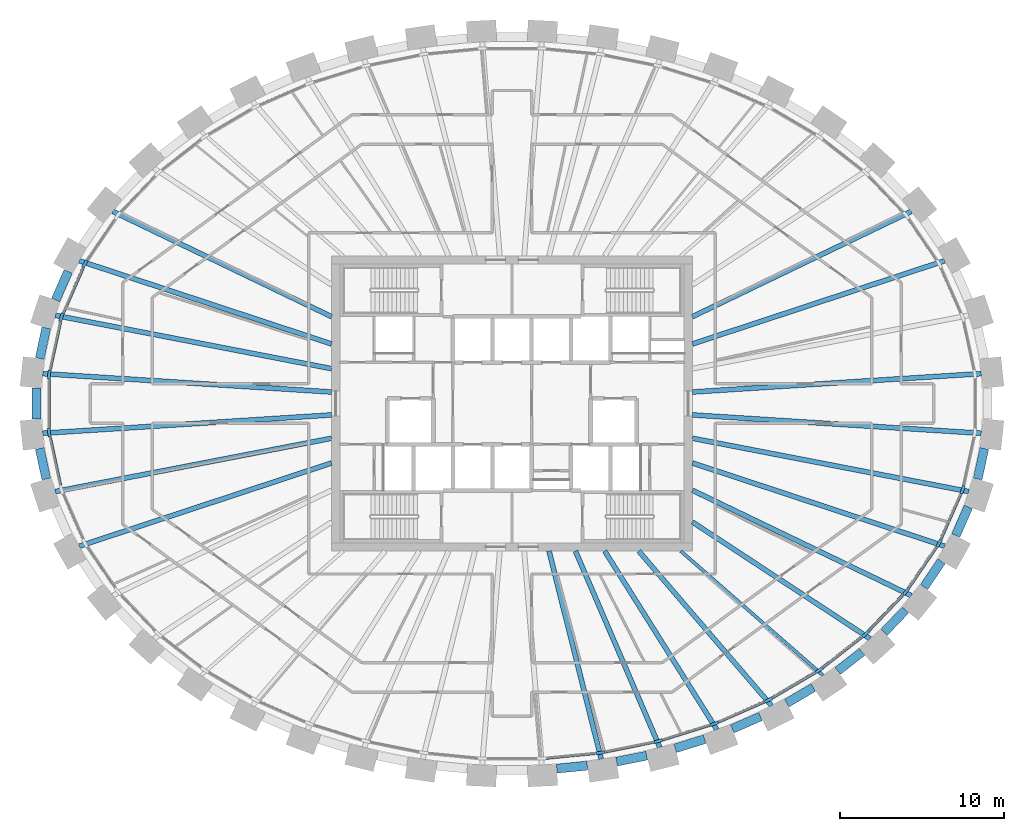
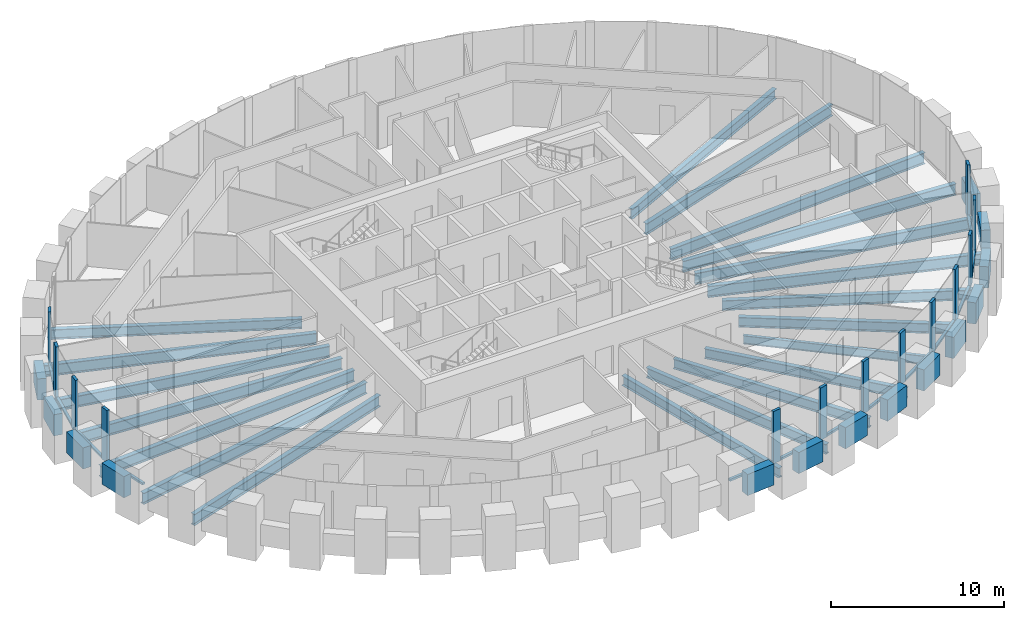
# One storey, part 2 of 11: 34 beams, 26 members, 1 element without a shape of its own.
"""IFC4 building model written with IfcOpenShell, lengths in metres."""

from ifc_helpers import new_model, si_unit, direction, frame, origin, origin_2d, place, context, subcontext, project, spatial, rectangle, i_section, extrude, source, transform, mapped, material, material_profile, profile_set, type_object, element, aggregate, save


model = new_model("IFC4")

# Units and contexts
model_context = context("Model", 3, precision=1e-05, world=origin(), true_north=direction((0.0, 1.0)))
body_context = subcontext(model_context, "Body", "Model", "MODEL_VIEW")
ifc_project = project(units=[si_unit("LENGTHUNIT", "METRE"), si_unit("AREAUNIT", "SQUARE_METRE"), si_unit("VOLUMEUNIT", "CUBIC_METRE"), si_unit("PLANEANGLEUNIT", "RADIAN"), si_unit("MASSUNIT", "GRAM", prefix="KILO")], contexts=[model_context])

# Site, building, storey
site_placement = place(None, origin())
site = spatial("IfcSite", under=ifc_project, at=site_placement, CompositionType="ELEMENT")
building_placement = place(site_placement, origin())
building = spatial("IfcBuilding", under=site, at=building_placement, Name="Embergate Tower", CompositionType="ELEMENT")
storey_placement = place(building_placement, frame((0.0, 0.0, 324.699951171875)))
storey = spatial("IfcBuildingStorey", under=building, at=storey_placement, Name="L76", CompositionType="ELEMENT", Elevation=324.699951171875)

# Beams
ifc_material_1 = material(Name="Concrete C50", Category="concrete")
ifc_material_profile_1 = material_profile(ifc_material_1, rectangle(XDim=0.550048828125, YDim=1.5, at=origin_2d()), Name="RC 550x1500")
ifc_profile_set_1 = profile_set([ifc_material_profile_1], Name="Concrete C50")
beam_type_1 = type_object("IfcBeamType", Name="Spandrel beam RC 550x1500 C50", PredefinedType="BEAM", material=ifc_profile_set_1)
shared_shape_1 = source(origin(), body_context, "Body", "SweptSolid", [
    extrude(rectangle(XDim=0.550048828125, YDim=1.5, at=origin_2d()), origin(), (0.0, 0.0, 1.0), 1.904541015625),
])
for number, where, z_axis, x_axis, name in (
    (1, (-28.40087890625, 4.60498046875, 0.0), (-0.210098077345, -0.977680314774, 0.0), (0.977680314774, -0.210098077345, 0.0), "SPN-L76-20"),
    (2, (-28.801025390625, -2.742919921875, 0.0), (0.210098077345, -0.977680314774, 0.0), (0.977680314774, 0.210098077345, 0.0), "SPN-L76-22"),
    (3, (28.40087890625, -4.60498046875, 0.0), (0.210098077345, 0.977680314774, 0.0), (-0.977680314774, 0.210098077345, 0.0), "SPN-L76-42"),
):
    element("IfcBeam", number, at=place(storey_placement, frame(where, z_axis=z_axis, x_axis=x_axis)), inside=storey, type_object=beam_type_1, Name=name, PredefinedType="BEAM", context=body_context, shape_type="MappedRepresentation", body=[
        mapped(shared_shape_1, transform((0.0, 0.0, 0.0))),
    ])
shared_shape_2 = source(origin(), body_context, "Body", "SweptSolid", [
    extrude(rectangle(XDim=0.550048828125, YDim=1.5, at=origin_2d()), origin(), (0.0, 0.0, 1.0), 1.897705078125),
])
for number, where, z_axis, x_axis, name in (
    (4, (-27.06591796875, 8.049072265625, 0.0), (-0.401513845594, -0.915852953151, 0.0), (0.915852953151, -0.401513845594, 0.0), "SPN-L76-19"),
    (5, (27.06591796875, -8.049072265625, 0.0), (0.401513845594, 0.915852953151, 0.0), (-0.915852953151, 0.401513845594, 0.0), "SPN-L76-41"),
):
    element("IfcBeam", number, at=place(storey_placement, frame(where, z_axis=z_axis, x_axis=x_axis)), inside=storey, type_object=beam_type_1, Name=name, PredefinedType="BEAM", context=body_context, shape_type="MappedRepresentation", body=[
        mapped(shared_shape_2, transform((0.0, 0.0, 0.0))),
    ])
shared_shape_3 = source(origin(), body_context, "Body", "SweptSolid", [
    extrude(rectangle(XDim=0.550048828125, YDim=1.5, at=origin_2d()), origin(), (0.0, 0.0, 1.0), 1.893798828125),
])
beam_1_placement = place(storey_placement, frame((25.12890625, -11.18994140625, 0.0), z_axis=(0.562440477268, 0.826837777034, 0.0), x_axis=(-0.826837777034, 0.562440477268, 0.0)))
element("IfcBeam", 6, at=beam_1_placement, inside=storey, type_object=beam_type_1, Name="SPN-L76-40", PredefinedType="BEAM", context=body_context, shape_type="MappedRepresentation", body=[
    mapped(shared_shape_3, transform((0.0, 0.0, 0.0))),
])
shared_shape_4 = source(origin(), body_context, "Body", "SweptSolid", [
    extrude(rectangle(XDim=0.550048828125, YDim=1.5, at=origin_2d()), origin(), (0.0, 0.0, 1.0), 1.8876953125),
])
beam_2_placement = place(storey_placement, frame((22.695068359375, -13.9560546875, 0.0), z_axis=(0.69022655599, 0.723593325982, 0.0), x_axis=(-0.723593325982, 0.69022655599, 0.0)))
element("IfcBeam", 7, at=beam_2_placement, inside=storey, type_object=beam_type_1, Name="SPN-L76-39", PredefinedType="BEAM", context=body_context, shape_type="MappedRepresentation", body=[
    mapped(shared_shape_4, transform((0.0, 0.0, 0.0))),
])
shared_shape_5 = source(origin(), body_context, "Body", "SweptSolid", [
    extrude(rectangle(XDim=0.550048828125, YDim=1.5, at=origin_2d()), origin(), (0.0, 0.0, 1.0), 1.88232421875),
])
beam_3_placement = place(storey_placement, frame((19.864013671875, -16.30810546875, 0.0), z_axis=(0.788303508782, 0.615286582043, 0.0), x_axis=(-0.615286582043, 0.788303508782, 0.0)))
element("IfcBeam", 8, at=beam_3_placement, inside=storey, type_object=beam_type_1, Name="SPN-L76-38", PredefinedType="BEAM", context=body_context, shape_type="MappedRepresentation", body=[
    mapped(shared_shape_5, transform((0.0, 0.0, 0.0))),
])
shared_shape_6 = source(origin(), body_context, "Body", "SweptSolid", [
    extrude(rectangle(XDim=0.550048828125, YDim=1.5, at=origin_2d()), origin(), (0.0, 0.0, 1.0), 1.87939453125),
])
beam_4_placement = place(storey_placement, frame((16.756103515625, -18.27294921875, 0.0), z_axis=(0.861930875636, 0.507025803708, 0.0), x_axis=(-0.507025803708, 0.861930875636, 0.0)))
element("IfcBeam", 9, at=beam_4_placement, inside=storey, type_object=beam_type_1, Name="SPN-L76-37", PredefinedType="BEAM", context=body_context, shape_type="MappedRepresentation", body=[
    mapped(shared_shape_6, transform((0.0, 0.0, 0.0))),
])
shared_shape_7 = source(origin(), body_context, "Body", "SweptSolid", [
    extrude(rectangle(XDim=0.550048828125, YDim=1.5, at=origin_2d()), origin(), (0.0, 0.0, 1.0), 1.876708984375),
])
beam_5_placement = place(storey_placement, frame((13.43310546875, -19.842041015625, 0.0), z_axis=(0.916452657221, 0.400143133231, 0.0), x_axis=(-0.400143133231, 0.916452657221, 0.0)))
element("IfcBeam", 10, at=beam_5_placement, inside=storey, type_object=beam_type_1, Name="SPN-L76-36", PredefinedType="BEAM", context=body_context, shape_type="MappedRepresentation", body=[
    mapped(shared_shape_7, transform((0.0, 0.0, 0.0))),
])
shared_shape_8 = source(origin(), body_context, "Body", "SweptSolid", [
    extrude(rectangle(XDim=0.550048828125, YDim=1.5, at=origin_2d()), origin(), (0.0, 0.0, 1.0), 1.873779296875),
])
for number, where, z_axis, x_axis, name in (
    (11, (6.376953125, -21.842041015625, 0.0), (0.980404898084, 0.196992984173, 0.0), (-0.196992984173, 0.980404898084, 0.0), "SPN-L76-34"),
    (12, (9.9580078125, -21.028076171875, 0.0), (0.954776255033, 0.297325247542, 0.0), (-0.297325247542, 0.954776255033, 0.0), "SPN-L76-35"),
):
    element("IfcBeam", number, at=place(storey_placement, frame(where, z_axis=z_axis, x_axis=x_axis)), inside=storey, type_object=beam_type_1, Name=name, PredefinedType="BEAM", context=body_context, shape_type="MappedRepresentation", body=[
        mapped(shared_shape_8, transform((0.0, 0.0, 0.0))),
    ])
shared_shape_9 = source(origin(), body_context, "Body", "SweptSolid", [
    extrude(rectangle(XDim=0.550048828125, YDim=1.5, at=origin_2d()), origin(), (0.0, 0.0, 1.0), 1.87109375),
])
beam_6_placement = place(storey_placement, frame((2.73193359375, -22.27099609375, 0.0), z_axis=(0.995148946648, 0.098379743775, 0.0), x_axis=(-0.098379743775, 0.995148946648, 0.0)))
element("IfcBeam", 13, at=beam_6_placement, inside=storey, type_object=beam_type_1, Name="SPN-L76-33", PredefinedType="BEAM", context=body_context, shape_type="MappedRepresentation", body=[
    mapped(shared_shape_9, transform((0.0, 0.0, 0.0))),
])
shared_shape_10 = source(origin(), body_context, "Body", "SweptSolid", [
    extrude(rectangle(XDim=0.550048828125, YDim=1.5, at=origin_2d()), origin(), (0.0, 0.0, 1.0), 1.90576171875),
])
beam_7_placement = place(storey_placement, frame((-28.991943359375, 0.952880859375, 0.0), z_axis=(0.0, -1.0, 0.0), x_axis=(1.0, 0.0, 0.0)))
element("IfcBeam", 14, at=beam_7_placement, inside=storey, type_object=beam_type_1, Name="SPN-L76-21", PredefinedType="BEAM", context=body_context, shape_type="MappedRepresentation", body=[
    mapped(shared_shape_10, transform((0.0, 0.0, 0.0))),
])
ifc_material_2 = material(Name="Steel Q355B", Category="steel")
ifc_material_profile_2 = material_profile(ifc_material_2, i_section(OverallWidth=0.300048828125, OverallDepth=0.800048828125, WebThickness=0.013916015625, FlangeThickness=0.02587890625, FilletRadius=0.028076171875, at=origin_2d()), Name="HN 800x300x14x26")
ifc_profile_set_2 = profile_set([ifc_material_profile_2], Name="Steel Q355 grade B")
beam_type_2 = type_object("IfcBeamType", Name="Radial girder HN 800x300x14x26", PredefinedType="BEAM", material=ifc_profile_set_2)
shared_shape_11 = source(origin(), body_context, "Body", "SweptSolid", [
    extrude(i_section(OverallWidth=0.300048828125, OverallDepth=0.800048828125, WebThickness=0.013916015625, FlangeThickness=0.02587890625, FilletRadius=0.028076171875, at=origin_2d()), origin(), (0.0, 0.0, 1.0), 17.65234375),
])
for number, where, z_axis, x_axis, name in (
    (15, (28.616943359375, 1.818115234375, -0.599853515625), (-0.997988286381, -0.063398582364, 0.0), (0.063398582364, -0.997988286381, 0.0), "GIR-L76-00"),
    (16, (-28.616943359375, 1.818115234375, -0.599853515625), (0.997988286381, -0.063398582364, 0.0), (0.063398582364, 0.997988286381, 0.0), "GIR-L76-21"),
    (17, (-28.616943359375, -1.818115234375, -0.599853515625), (0.997988286381, 0.063398582364, 0.0), (-0.063398582364, 0.997988286381, 0.0), "GIR-L76-22"),
    (18, (28.616943359375, -1.818115234375, -0.599853515625), (-0.997988286381, 0.063398582364, 0.0), (-0.063398582364, -0.997988286381, 0.0), "GIR-L76-43"),
):
    element("IfcBeam", number, at=place(storey_placement, frame(where, z_axis=z_axis, x_axis=x_axis)), inside=storey, type_object=beam_type_2, Name=name, PredefinedType="BEAM", context=body_context, shape_type="MappedRepresentation", body=[
        mapped(shared_shape_11, transform((0.0, 0.0, 0.0))),
    ])
shared_shape_12 = source(origin(), body_context, "Body", "SweptSolid", [
    extrude(i_section(OverallWidth=0.300048828125, OverallDepth=0.800048828125, WebThickness=0.013916015625, FlangeThickness=0.02587890625, FilletRadius=0.028076171875, at=origin_2d()), origin(), (0.0, 0.0, 1.0), 17.162841796875),
])
for number, where, z_axis, x_axis, name in (
    (19, (-27.85205078125, 5.373046875, -0.599853515625), (0.981896091736, -0.189420339547, 0.0), (0.189420339547, 0.981896091736, 0.0), "GIR-L76-20"),
    (20, (-27.85205078125, -5.373046875, -0.599853515625), (0.981896091736, 0.189420339547, 0.0), (-0.189420339547, 0.981896091736, 0.0), "GIR-L76-23"),
    (21, (27.85205078125, -5.373046875, -0.599853515625), (-0.981896091736, 0.189420339547, 0.0), (-0.189420339547, -0.981896091736, 0.0), "GIR-L76-42"),
):
    element("IfcBeam", number, at=place(storey_placement, frame(where, z_axis=z_axis, x_axis=x_axis)), inside=storey, type_object=beam_type_2, Name=name, PredefinedType="BEAM", context=body_context, shape_type="MappedRepresentation", body=[
        mapped(shared_shape_12, transform((0.0, 0.0, 0.0))),
    ])
shared_shape_13 = source(origin(), body_context, "Body", "SweptSolid", [
    extrude(i_section(OverallWidth=0.300048828125, OverallDepth=0.800048828125, WebThickness=0.013916015625, FlangeThickness=0.02587890625, FilletRadius=0.028076171875, at=origin_2d()), origin(), (0.0, 0.0, 1.0), 16.20654296875),
])
for number, where, z_axis, x_axis, name in (
    (22, (26.39111328125, 8.7041015625, -0.599853515625), (-0.949681803932, -0.313216333037, 0.0), (0.313216333037, -0.949681803932, 0.0), "GIR-L76-02"),
    (23, (-26.39111328125, 8.7041015625, -0.599853515625), (0.949681803932, -0.313216333037, 0.0), (0.313216333037, 0.949681803932, 0.0), "GIR-L76-19"),
    (24, (-26.39111328125, -8.7041015625, -0.599853515625), (0.949681803932, 0.313216333037, 0.0), (-0.313216333037, 0.949681803932, 0.0), "GIR-L76-24"),
    (25, (26.39111328125, -8.7041015625, -0.599853515625), (-0.949681803932, 0.313216333037, 0.0), (-0.313216333037, -0.949681803932, 0.0), "GIR-L76-41"),
):
    element("IfcBeam", number, at=place(storey_placement, frame(where, z_axis=z_axis, x_axis=x_axis)), inside=storey, type_object=beam_type_2, Name=name, PredefinedType="BEAM", context=body_context, shape_type="MappedRepresentation", body=[
        mapped(shared_shape_13, transform((0.0, 0.0, 0.0))),
    ])
ifc_material_profile_3 = material_profile(ifc_material_2, i_section(OverallWidth=0.300048828125, OverallDepth=0.699951171875, WebThickness=0.012939453125, FlangeThickness=0.02392578125, FilletRadius=0.01806640625, at=origin_2d()), Name="HN 700x300x13x24")
ifc_profile_set_3 = profile_set([ifc_material_profile_3], Name="Steel Q355 grade B")
beam_type_3 = type_object("IfcBeamType", Name="Radial girder HN 700x300x13x24", PredefinedType="BEAM", material=ifc_profile_set_3)
shared_shape_14 = source(origin(), body_context, "Body", "SweptSolid", [
    extrude(i_section(OverallWidth=0.300048828125, OverallDepth=0.699951171875, WebThickness=0.012939453125, FlangeThickness=0.02392578125, FilletRadius=0.01806640625, at=origin_2d()), origin(), (0.0, 0.0, 1.0), 14.808837890625),
])
for number, where, z_axis, x_axis, name in (
    (26, (24.344970703125, 11.7119140625, -0.550048828125), (-0.90114505666, -0.43351768921, 0.0), (0.43351768921, -0.90114505666, 0.0), "GIR-L76-03"),
    (27, (-24.344970703125, 11.7119140625, -0.550048828125), (0.90114505666, -0.43351768921, 0.0), (0.43351768921, 0.90114505666, 0.0), "GIR-L76-18"),
    (28, (24.344970703125, -11.7119140625, -0.550048828125), (-0.90114505666, 0.43351768921, 0.0), (-0.43351768921, -0.90114505666, 0.0), "GIR-L76-40"),
):
    element("IfcBeam", number, at=place(storey_placement, frame(where, z_axis=z_axis, x_axis=x_axis)), inside=storey, type_object=beam_type_3, Name=name, PredefinedType="BEAM", context=body_context, shape_type="MappedRepresentation", body=[
        mapped(shared_shape_14, transform((0.0, 0.0, 0.0))),
    ])
shared_shape_15 = source(origin(), body_context, "Body", "SweptSolid", [
    extrude(i_section(OverallWidth=0.300048828125, OverallDepth=0.699951171875, WebThickness=0.012939453125, FlangeThickness=0.02392578125, FilletRadius=0.01806640625, at=origin_2d()), origin(), (0.0, 0.0, 1.0), 12.963134765625),
])
beam_8_placement = place(storey_placement, frame((21.833984375, -14.344970703125, -0.550048828125), z_axis=(-0.835760548257, 0.549094077529, 0.0), x_axis=(-0.549094077529, -0.835760548257, 0.0)))
element("IfcBeam", 29, at=beam_8_placement, inside=storey, type_object=beam_type_3, Name="GIR-L76-39", PredefinedType="BEAM", context=body_context, shape_type="MappedRepresentation", body=[
    mapped(shared_shape_15, transform((0.0, 0.0, 0.0))),
])
ifc_material_profile_4 = material_profile(ifc_material_2, i_section(OverallWidth=0.199951171875, OverallDepth=0.60009765625, WebThickness=0.010986328125, FlangeThickness=0.01708984375, FilletRadius=0.012939453125, at=origin_2d()), Name="HN 600x200x11x17")
ifc_profile_set_4 = profile_set([ifc_material_profile_4], Name="Steel Q355 grade B")
beam_type_4 = type_object("IfcBeamType", Name="Radial girder HN 600x200x11x17", PredefinedType="BEAM", material=ifc_profile_set_4)
shared_shape_16 = source(origin(), body_context, "Body", "SweptSolid", [
    extrude(i_section(OverallWidth=0.199951171875, OverallDepth=0.60009765625, WebThickness=0.010986328125, FlangeThickness=0.01708984375, FilletRadius=0.012939453125, at=origin_2d()), origin(), (0.0, 0.0, 1.0), 11.52197265625),
])
beam_9_placement = place(storey_placement, frame((18.965087890625, -16.5849609375, -0.5), z_axis=(-0.752748620868, 0.658308069054, 0.0), x_axis=(-0.658308069054, -0.752748620868, 0.0)))
element("IfcBeam", 30, at=beam_9_placement, inside=storey, type_object=beam_type_4, Name="GIR-L76-38", PredefinedType="BEAM", context=body_context, shape_type="MappedRepresentation", body=[
    mapped(shared_shape_16, transform((0.0, 0.0, 0.0))),
])
shared_shape_17 = source(origin(), body_context, "Body", "SweptSolid", [
    extrude(i_section(OverallWidth=0.300048828125, OverallDepth=0.699951171875, WebThickness=0.012939453125, FlangeThickness=0.02392578125, FilletRadius=0.01806640625, at=origin_2d()), origin(), (0.0, 0.0, 1.0), 12.43115234375),
])
beam_10_placement = place(storey_placement, frame((15.826904296875, -18.430908203125, -0.550048828125), z_axis=(-0.651497878896, 0.758650455608, 0.0), x_axis=(-0.758650455608, -0.651497878896, 0.0)))
element("IfcBeam", 31, at=beam_10_placement, inside=storey, type_object=beam_type_3, Name="GIR-L76-37", PredefinedType="BEAM", context=body_context, shape_type="MappedRepresentation", body=[
    mapped(shared_shape_17, transform((0.0, 0.0, 0.0))),
])
shared_shape_18 = source(origin(), body_context, "Body", "SweptSolid", [
    extrude(i_section(OverallWidth=0.300048828125, OverallDepth=0.699951171875, WebThickness=0.012939453125, FlangeThickness=0.02392578125, FilletRadius=0.01806640625, at=origin_2d()), origin(), (0.0, 0.0, 1.0), 12.8583984375),
])
beam_11_placement = place(storey_placement, frame((12.490966796875, -19.888916015625, -0.550048828125), z_axis=(-0.531859653709, 0.846832515174, 0.0), x_axis=(-0.846832515174, -0.531859653709, 0.0)))
element("IfcBeam", 32, at=beam_11_placement, inside=storey, type_object=beam_type_3, Name="GIR-L76-36", PredefinedType="BEAM", context=body_context, shape_type="MappedRepresentation", body=[
    mapped(shared_shape_18, transform((0.0, 0.0, 0.0))),
])
shared_shape_19 = source(origin(), body_context, "Body", "SweptSolid", [
    extrude(i_section(OverallWidth=0.300048828125, OverallDepth=0.699951171875, WebThickness=0.012939453125, FlangeThickness=0.02392578125, FilletRadius=0.01806640625, at=origin_2d()), origin(), (0.0, 0.0, 1.0), 13.0302734375),
])
beam_12_placement = place(storey_placement, frame((9.014892578125, -20.970947265625, -0.550048828125), z_axis=(-0.394929867162, 0.918711271305, 0.0), x_axis=(-0.918711271305, -0.394929867162, 0.0)))
element("IfcBeam", 33, at=beam_12_placement, inside=storey, type_object=beam_type_3, Name="GIR-L76-35", PredefinedType="BEAM", context=body_context, shape_type="MappedRepresentation", body=[
    mapped(shared_shape_19, transform((0.0, 0.0, 0.0))),
])
shared_shape_20 = source(origin(), body_context, "Body", "SweptSolid", [
    extrude(i_section(OverallWidth=0.300048828125, OverallDepth=0.699951171875, WebThickness=0.012939453125, FlangeThickness=0.02392578125, FilletRadius=0.01806640625, at=origin_2d()), origin(), (0.0, 0.0, 1.0), 13.080810546875),
])
beam_13_placement = place(storey_placement, frame((5.444091796875, -21.68701171875, -0.550048828125), z_axis=(-0.243492869498, 0.969902687131, 0.0), x_axis=(-0.969902687131, -0.243492869498, 0.0)))
element("IfcBeam", 34, at=beam_13_placement, inside=storey, type_object=beam_type_3, Name="GIR-L76-34", PredefinedType="BEAM", context=body_context, shape_type="MappedRepresentation", body=[
    mapped(shared_shape_20, transform((0.0, 0.0, 0.0))),
])

# Curtain wall, members
ifc_material_3 = material(Name="Aluminium and glass", Category="aluminium")
curtain_wall_type = type_object("IfcCurtainWallType", Name="Recessed office glazing", PredefinedType="NOTDEFINED", material=ifc_material_3)
curtain_wall_placement = place(storey_placement, origin())
curtain_wall = element("IfcCurtainWall", 35, at=curtain_wall_placement, inside=storey, type_object=curtain_wall_type, Name="Recessed office glazing ring", ObjectType="RECESSED OFFICE GLAZING", PredefinedType="USERDEFINED")
ifc_material_4 = material(Name="Aluminium, thermally broken", Category="aluminium")
ifc_material_profile_5 = material_profile(ifc_material_4, rectangle(XDim=0.179931640625, YDim=0.52001953125, at=origin_2d()), Name="AL 520x180")
ifc_profile_set_5 = profile_set([ifc_material_profile_5], Name="Aluminium, thermally broken")
member_type_1 = type_object("IfcMemberType", Name="Office mullion", PredefinedType="MULLION", material=ifc_profile_set_5)
shared_shape_21 = source(origin(), body_context, "Body", "SweptSolid", [
    extrude(rectangle(XDim=0.179931640625, YDim=0.52001953125, at=origin_2d()), origin(), (0.0, 0.0, 1.0), 3.699951171875),
])
member_1_placement = place(storey_placement, frame((-26.05029296875, 8.513671875, 0.0), z_axis=(0.0, 0.0, 1.0), x_axis=(0.874990911284, -0.484139344787, 0.0)))
member_1 = element("IfcMember", 36, at=member_1_placement, type_object=member_type_1, Name="CW mullion 20", PredefinedType="MULLION", context=body_context, shape_type="MappedRepresentation", body=[
    mapped(shared_shape_21, transform((0.0, 0.0, 0.0))),
])
member_2_placement = place(storey_placement, frame((-27.480712890625, 5.251708984375, 0.0), z_axis=(0.0, 0.0, 1.0), x_axis=(0.951491891254, -0.307673822216, 0.0)))
member_2 = element("IfcMember", 37, at=member_2_placement, type_object=member_type_1, Name="CW mullion 21", PredefinedType="MULLION", context=body_context, shape_type="MappedRepresentation", body=[
    mapped(shared_shape_21, transform((0.0, 0.0, 0.0))),
])
member_3_placement = place(storey_placement, frame((-28.228759765625, 1.7763671875, 0.0), z_axis=(0.0, 0.0, 1.0), x_axis=(0.994384031216, -0.105831934987, 0.0)))
member_3 = element("IfcMember", 38, at=member_3_placement, type_object=member_type_1, Name="CW mullion 22", PredefinedType="MULLION", context=body_context, shape_type="MappedRepresentation", body=[
    mapped(shared_shape_21, transform((0.0, 0.0, 0.0))),
])
member_4_placement = place(storey_placement, frame((-28.228759765625, -1.7763671875, 0.0), z_axis=(0.0, 0.0, 1.0), x_axis=(0.994384031216, 0.105831934987, 0.0)))
member_4 = element("IfcMember", 39, at=member_4_placement, type_object=member_type_1, Name="CW mullion 23", PredefinedType="MULLION", context=body_context, shape_type="MappedRepresentation", body=[
    mapped(shared_shape_21, transform((0.0, 0.0, 0.0))),
])
member_5_placement = place(storey_placement, frame((5.386962890625, -21.301513671875, 0.0), z_axis=(0.0, 0.0, 1.0), x_axis=(-0.147412382818, 0.989075118174, 0.0)))
member_5 = element("IfcMember", 40, at=member_5_placement, type_object=member_type_1, Name="CW mullion 35", PredefinedType="MULLION", context=body_context, shape_type="MappedRepresentation", body=[
    mapped(shared_shape_21, transform((0.0, 0.0, 0.0))),
])
member_6_placement = place(storey_placement, frame((8.918212890625, -20.593505859375, 0.0), z_axis=(0.0, 0.0, 1.0), x_axis=(-0.24731188137, 0.968935928394, 0.0)))
member_6 = element("IfcMember", 41, at=member_6_placement, type_object=member_type_1, Name="CW mullion 36", PredefinedType="MULLION", context=body_context, shape_type="MappedRepresentation", body=[
    mapped(shared_shape_21, transform((0.0, 0.0, 0.0))),
])
member_7_placement = place(storey_placement, frame((12.354736328125, -19.523193359375, 0.0), z_axis=(0.0, 0.0, 1.0), x_axis=(-0.349501047589, 0.936935973124, 0.0)))
member_7 = element("IfcMember", 42, at=member_7_placement, type_object=member_type_1, Name="CW mullion 37", PredefinedType="MULLION", context=body_context, shape_type="MappedRepresentation", body=[
    mapped(shared_shape_21, transform((0.0, 0.0, 0.0))),
])
member_8_placement = place(storey_placement, frame((15.649658203125, -18.08251953125, 0.0), z_axis=(0.0, 0.0, 1.0), x_axis=(-0.454508271251, 0.890742516872, 0.0)))
member_8 = element("IfcMember", 43, at=member_8_placement, type_object=member_type_1, Name="CW mullion 38", PredefinedType="MULLION", context=body_context, shape_type="MappedRepresentation", body=[
    mapped(shared_shape_21, transform((0.0, 0.0, 0.0))),
])
member_9_placement = place(storey_placement, frame((18.745849609375, -16.261962890625, 0.0), z_axis=(0.0, 0.0, 1.0), x_axis=(-0.562210401679, 0.82699423471, 0.0)))
member_9 = element("IfcMember", 44, at=member_9_placement, type_object=member_type_1, Name="CW mullion 39", PredefinedType="MULLION", context=body_context, shape_type="MappedRepresentation", body=[
    mapped(shared_shape_21, transform((0.0, 0.0, 0.0))),
])
member_10_placement = place(storey_placement, frame((21.57275390625, -14.0556640625, 0.0), z_axis=(0.0, 0.0, 1.0), x_axis=(-0.671217477801, 0.741260478843, 0.0)))
member_10 = element("IfcMember", 45, at=member_10_placement, type_object=member_type_1, Name="CW mullion 40", PredefinedType="MULLION", context=body_context, shape_type="MappedRepresentation", body=[
    mapped(shared_shape_21, transform((0.0, 0.0, 0.0))),
])
member_11_placement = place(storey_placement, frame((24.04248046875, -11.4658203125, 0.0), z_axis=(0.0, 0.0, 1.0), x_axis=(-0.777861596203, 0.628435626897, 0.0)))
member_11 = element("IfcMember", 46, at=member_11_placement, type_object=member_type_1, Name="CW mullion 41", PredefinedType="MULLION", context=body_context, shape_type="MappedRepresentation", body=[
    mapped(shared_shape_21, transform((0.0, 0.0, 0.0))),
])
member_12_placement = place(storey_placement, frame((26.05029296875, -8.513671875, 0.0), z_axis=(0.0, 0.0, 1.0), x_axis=(-0.874990911284, 0.484139344787, 0.0)))
member_12 = element("IfcMember", 47, at=member_12_placement, type_object=member_type_1, Name="CW mullion 42", PredefinedType="MULLION", context=body_context, shape_type="MappedRepresentation", body=[
    mapped(shared_shape_21, transform((0.0, 0.0, 0.0))),
])
member_13_placement = place(storey_placement, frame((27.480712890625, -5.251708984375, 0.0), z_axis=(0.0, 0.0, 1.0), x_axis=(-0.951491891254, 0.307673822216, 0.0)))
member_13 = element("IfcMember", 48, at=member_13_placement, type_object=member_type_1, Name="CW mullion 43", PredefinedType="MULLION", context=body_context, shape_type="MappedRepresentation", body=[
    mapped(shared_shape_21, transform((0.0, 0.0, 0.0))),
])
ifc_material_profile_6 = material_profile(ifc_material_4, rectangle(XDim=0.179931640625, YDim=0.14990234375, at=origin_2d()), Name="AL 150x180")
ifc_profile_set_6 = profile_set([ifc_material_profile_6], Name="Aluminium, thermally broken")
member_type_2 = type_object("IfcMemberType", Name="Office sill transom", PredefinedType="USERDEFINED", material=ifc_profile_set_6)
shared_shape_22 = source(origin(), body_context, "Body", "SweptSolid", [
    extrude(rectangle(XDim=0.179931640625, YDim=0.14990234375, at=origin_2d()), origin(), (0.0, 0.0, 1.0), 3.034912109375),
])
member_14_placement = place(storey_placement, frame((-27.535400390625, 4.99755859375, 0.074951171875), z_axis=(-0.210435439113, -0.977607756703, 0.0), x_axis=(0.977607756703, -0.210435439113, 0.0)))
member_14 = element("IfcMember", 49, at=member_14_placement, type_object=member_type_2, Name="CW transom 21.1", ObjectType="TRANSOM", PredefinedType="USERDEFINED", context=body_context, shape_type="MappedRepresentation", body=[
    mapped(shared_shape_22, transform((0.0, 0.0, 0.0))),
])
member_15_placement = place(storey_placement, frame((-28.174072265625, -2.030517578125, 0.074951171875), z_axis=(0.210435439113, -0.977607756703, 0.0), x_axis=(0.977607756703, 0.210435439113, 0.0)))
member_15 = element("IfcMember", 50, at=member_15_placement, type_object=member_type_2, Name="CW transom 23.1", ObjectType="TRANSOM", PredefinedType="USERDEFINED", context=body_context, shape_type="MappedRepresentation", body=[
    mapped(shared_shape_22, transform((0.0, 0.0, 0.0))),
])
shared_shape_23 = source(origin(), body_context, "Body", "SweptSolid", [
    extrude(rectangle(XDim=0.179931640625, YDim=0.14990234375, at=origin_2d()), origin(), (0.0, 0.0, 1.0), 3.04150390625),
])
member_16_placement = place(storey_placement, frame((-26.15478515625, 8.275390625, 0.074951171875), z_axis=(-0.401665038181, -0.915786654797, 0.0), x_axis=(0.915786654797, -0.401665038181, 0.0)))
member_16 = element("IfcMember", 51, at=member_16_placement, type_object=member_type_2, Name="CW transom 20.1", ObjectType="TRANSOM", PredefinedType="USERDEFINED", context=body_context, shape_type="MappedRepresentation", body=[
    mapped(shared_shape_23, transform((0.0, 0.0, 0.0))),
])
member_17_placement = place(storey_placement, frame((26.15478515625, -8.275390625, 0.074951171875), z_axis=(0.401665038181, 0.915786654797, 0.0), x_axis=(-0.915786654797, 0.401665038181, 0.0)))
member_17 = element("IfcMember", 52, at=member_17_placement, type_object=member_type_2, Name="CW transom 42.1", ObjectType="TRANSOM", PredefinedType="USERDEFINED", context=body_context, shape_type="MappedRepresentation", body=[
    mapped(shared_shape_23, transform((0.0, 0.0, 0.0))),
])
shared_shape_24 = source(origin(), body_context, "Body", "SweptSolid", [
    extrude(rectangle(XDim=0.179931640625, YDim=0.14990234375, at=origin_2d()), origin(), (0.0, 0.0, 1.0), 3.050537109375),
])
member_18_placement = place(storey_placement, frame((24.188720703125, -11.2509765625, 0.074951171875), z_axis=(0.562323156119, 0.826917570313, 0.0), x_axis=(-0.826917570313, 0.562323156119, 0.0)))
member_18 = element("IfcMember", 53, at=member_18_placement, type_object=member_type_2, Name="CW transom 41.1", ObjectType="TRANSOM", PredefinedType="USERDEFINED", context=body_context, shape_type="MappedRepresentation", body=[
    mapped(shared_shape_24, transform((0.0, 0.0, 0.0))),
])
shared_shape_25 = source(origin(), body_context, "Body", "SweptSolid", [
    extrude(rectangle(XDim=0.179931640625, YDim=0.14990234375, at=origin_2d()), origin(), (0.0, 0.0, 1.0), 3.05859375),
])
member_19_placement = place(storey_placement, frame((21.752197265625, -13.867431640625, 0.074951171875), z_axis=(0.690145338974, 0.723670789167, 0.0), x_axis=(-0.723670789167, 0.690145338974, 0.0)))
member_19 = element("IfcMember", 54, at=member_19_placement, type_object=member_type_2, Name="CW transom 40.1", ObjectType="TRANSOM", PredefinedType="USERDEFINED", context=body_context, shape_type="MappedRepresentation", body=[
    mapped(shared_shape_25, transform((0.0, 0.0, 0.0))),
])
shared_shape_26 = source(origin(), body_context, "Body", "SweptSolid", [
    extrude(rectangle(XDim=0.179931640625, YDim=0.14990234375, at=origin_2d()), origin(), (0.0, 0.0, 1.0), 3.06591796875),
])
member_20_placement = place(storey_placement, frame((18.950927734375, -16.10205078125, 0.074951171875), z_axis=(0.788347811485, 0.615229817326, 0.0), x_axis=(-0.615229817326, 0.788347811485, 0.0)))
member_20 = element("IfcMember", 55, at=member_20_placement, type_object=member_type_2, Name="CW transom 39.1", ObjectType="TRANSOM", PredefinedType="USERDEFINED", context=body_context, shape_type="MappedRepresentation", body=[
    mapped(shared_shape_26, transform((0.0, 0.0, 0.0))),
])
shared_shape_27 = source(origin(), body_context, "Body", "SweptSolid", [
    extrude(rectangle(XDim=0.179931640625, YDim=0.14990234375, at=origin_2d()), origin(), (0.0, 0.0, 1.0), 3.07177734375),
])
member_21_placement = place(storey_placement, frame((15.873779296875, -17.95068359375, 0.074951171875), z_axis=(0.862038399322, 0.506842971831, 0.0), x_axis=(-0.506842971831, 0.862038399322, 0.0)))
member_21 = element("IfcMember", 56, at=member_21_placement, type_object=member_type_2, Name="CW transom 38.1", ObjectType="TRANSOM", PredefinedType="USERDEFINED", context=body_context, shape_type="MappedRepresentation", body=[
    mapped(shared_shape_27, transform((0.0, 0.0, 0.0))),
])
shared_shape_28 = source(origin(), body_context, "Body", "SweptSolid", [
    extrude(rectangle(XDim=0.179931640625, YDim=0.14990234375, at=origin_2d()), origin(), (0.0, 0.0, 1.0), 3.076171875),
])
member_22_placement = place(storey_placement, frame((12.593017578125, -19.4189453125, 0.074951171875), z_axis=(0.916242921691, 0.400623150169, 0.0), x_axis=(-0.400623150169, 0.916242921691, 0.0)))
member_22 = element("IfcMember", 57, at=member_22_placement, type_object=member_type_2, Name="CW transom 37.1", ObjectType="TRANSOM", PredefinedType="USERDEFINED", context=body_context, shape_type="MappedRepresentation", body=[
    mapped(shared_shape_28, transform((0.0, 0.0, 0.0))),
])
shared_shape_29 = source(origin(), body_context, "Body", "SweptSolid", [
    extrude(rectangle(XDim=0.179931640625, YDim=0.14990234375, at=origin_2d()), origin(), (0.0, 0.0, 1.0), 3.079345703125),
])
member_23_placement = place(storey_placement, frame((9.16650390625, -20.51611328125, 0.074951171875), z_axis=(0.954753265605, 0.297399061558, 0.0), x_axis=(-0.297399061558, 0.954753265605, 0.0)))
member_23 = element("IfcMember", 58, at=member_23_placement, type_object=member_type_2, Name="CW transom 36.1", ObjectType="TRANSOM", PredefinedType="USERDEFINED", context=body_context, shape_type="MappedRepresentation", body=[
    mapped(shared_shape_29, transform((0.0, 0.0, 0.0))),
])
shared_shape_30 = source(origin(), body_context, "Body", "SweptSolid", [
    extrude(rectangle(XDim=0.179931640625, YDim=0.14990234375, at=origin_2d()), origin(), (0.0, 0.0, 1.0), 3.081298828125),
])
member_24_placement = place(storey_placement, frame((5.64208984375, -21.25048828125, 0.074951171875), z_axis=(0.980473874626, 0.19664938641, 0.0), x_axis=(-0.19664938641, 0.980473874626, 0.0)))
member_24 = element("IfcMember", 59, at=member_24_placement, type_object=member_type_2, Name="CW transom 35.1", ObjectType="TRANSOM", PredefinedType="USERDEFINED", context=body_context, shape_type="MappedRepresentation", body=[
    mapped(shared_shape_30, transform((0.0, 0.0, 0.0))),
])
shared_shape_31 = source(origin(), body_context, "Body", "SweptSolid", [
    extrude(rectangle(XDim=0.179931640625, YDim=0.14990234375, at=origin_2d()), origin(), (0.0, 0.0, 1.0), 3.0830078125),
])
member_25_placement = place(storey_placement, frame((2.060302734375, -21.628662109375, 0.074951171875), z_axis=(0.995198169666, 0.09788055524, 0.0), x_axis=(-0.09788055524, 0.995198169666, 0.0)))
member_25 = element("IfcMember", 60, at=member_25_placement, type_object=member_type_2, Name="CW transom 34.1", ObjectType="TRANSOM", PredefinedType="USERDEFINED", context=body_context, shape_type="MappedRepresentation", body=[
    mapped(shared_shape_31, transform((0.0, 0.0, 0.0))),
])
shared_shape_32 = source(origin(), body_context, "Body", "SweptSolid", [
    extrude(rectangle(XDim=0.179931640625, YDim=0.14990234375, at=origin_2d()), origin(), (0.0, 0.0, 1.0), 3.03271484375),
])
member_26_placement = place(storey_placement, frame((-28.228759765625, 1.516357421875, 0.074951171875), z_axis=(0.0, -1.0, 0.0), x_axis=(1.0, 0.0, 0.0)))
member_26 = element("IfcMember", 61, at=member_26_placement, type_object=member_type_2, Name="CW transom 22.1", ObjectType="TRANSOM", PredefinedType="USERDEFINED", context=body_context, shape_type="MappedRepresentation", body=[
    mapped(shared_shape_32, transform((0.0, 0.0, 0.0))),
])
aggregate(curtain_wall, [member_1, member_2, member_3, member_4, member_5, member_6, member_7, member_8, member_9, member_10, member_11, member_12, member_13, member_16, member_14, member_26, member_15, member_25, member_24, member_23, member_22, member_21, member_20, member_19, member_18, member_17])

save(model, "model.ifc")
